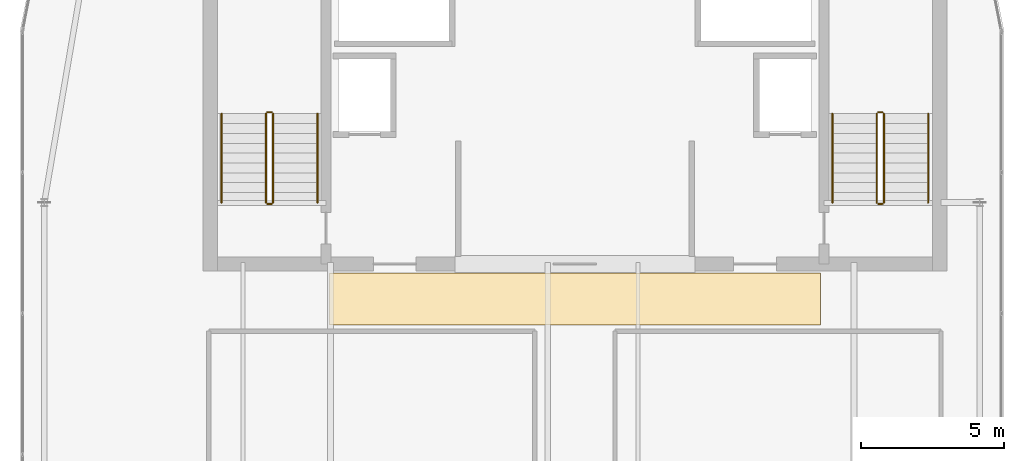
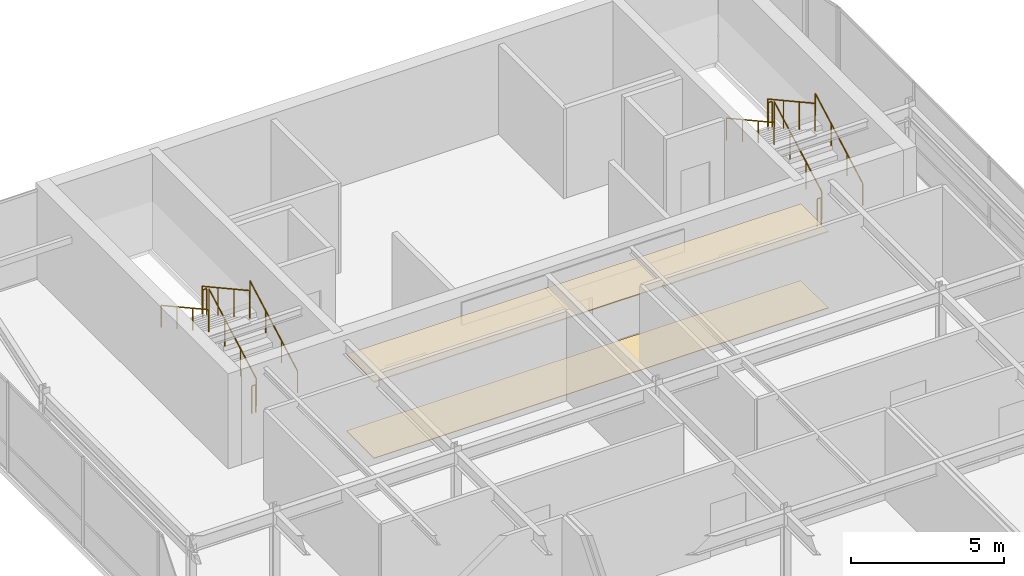
# One storey, part 36 of 36: 12 railings, 2 coverings.
"""IFC4 building model written with IfcOpenShell, lengths in metres."""

from ifc_helpers import new_model, si_unit, direction, frame, origin, origin_2d, place, context, subcontext, project, spatial, polyline, circle, outline, extrude, material, layer, layer_set, type_object, element, save


model = new_model("IFC4")

# Units and contexts
model_context = context("Model", 3, precision=1e-05, world=origin(), true_north=direction((0.0, 1.0)))
body_context = subcontext(model_context, "Body", "Model", "MODEL_VIEW")
ifc_project = project(units=[si_unit("LENGTHUNIT", "METRE"), si_unit("AREAUNIT", "SQUARE_METRE"), si_unit("VOLUMEUNIT", "CUBIC_METRE"), si_unit("PLANEANGLEUNIT", "RADIAN"), si_unit("MASSUNIT", "GRAM", prefix="KILO")], contexts=[model_context])

# Site, building, storey
site_placement = place(None, origin())
site = spatial("IfcSite", under=ifc_project, at=site_placement, CompositionType="ELEMENT")
building_placement = place(site_placement, origin())
building = spatial("IfcBuilding", under=site, at=building_placement, Name="Tolvann Quenvar Hotel", CompositionType="ELEMENT")
storey_placement = place(building_placement, frame((0.0, 0.0, 302.35009765625)))
storey = spatial("IfcBuildingStorey", under=building, at=storey_placement, Name="L80", CompositionType="ELEMENT", Elevation=302.35009765625)

# Coverings
ifc_material_1 = material(Name="Micro-perforated acoustic mineral-fibre and timber-batten suspended ceiling", Category="wood")
ifc_layer_1 = layer(ifc_material_1, 0.0400390625)
ifc_layer_set_1 = layer_set([ifc_layer_1], Name="Micro-perforated acoustic mineral-fibre and timber-batten suspended ceiling")
covering_type_1 = type_object("IfcCoveringType", Name="COV_CEIL_ACOUSTIC_40", PredefinedType="CEILING", material=ifc_layer_set_1)
covering_1_placement = place(storey_placement, frame((0.0, 0.0, 3.039794921875)))
element("IfcCovering", 1, at=covering_1_placement, inside=storey, type_object=covering_type_1, Name="Suspended Acoustic Ceiling (Upper Lantern Core Stair Vestibule L80)", PredefinedType="CEILING", context=body_context, shape_type="SweptSolid", body=[
    extrude(outline(polyline([(14.419921875, 29.719970703125), (31.580078125, 29.719970703125), (31.580078125, 31.530029296875), (14.419921875, 31.530029296875), (14.419921875, 29.719970703125)])), origin(), (0.0, 0.0, 1.0), 0.0400390625),
])
ifc_material_2 = material(Name="Honed Australian bluestone, terrazzo and engineered oak flooring", Category="masonry")
ifc_layer_2 = layer(ifc_material_2, 0.02001953125)
ifc_layer_set_2 = layer_set([ifc_layer_2], Name="Honed Australian bluestone, terrazzo and engineered oak flooring")
covering_type_2 = type_object("IfcCoveringType", Name="COV_FLOOR_STONE_20", PredefinedType="FLOORING", material=ifc_layer_set_2)
covering_2_placement = place(storey_placement, origin())
element("IfcCovering", 2, at=covering_2_placement, inside=storey, type_object=covering_type_2, Name="Architectural Floor Finish (Upper Lantern Core Stair Vestibule L80)", PredefinedType="FLOORING", context=body_context, shape_type="SweptSolid", body=[
    extrude(outline(polyline([(14.419921875, 29.719970703125), (31.580078125, 29.719970703125), (31.580078125, 31.530029296875), (14.419921875, 31.530029296875), (14.419921875, 29.719970703125)])), origin(), (0.0, 0.0, 1.0), 0.02001953125),
])

# Railings
ifc_material_3 = material(Name="Brushed 316 stainless steel balustrade and handrail", Category="steel")
railing_type_1 = type_object("IfcRailingType", Name="GUARDRAIL", PredefinedType="GUARDRAIL", material=ifc_material_3)
railing_1_placement = place(storey_placement, frame((12.449951171875, 34.0, 0.18994140625)))
element("IfcRailing", 3, at=railing_1_placement, inside=storey, type_object=railing_type_1, Name="L80 ST-C1 stair guard 1", PredefinedType="GUARDRAIL", context=body_context, shape_type="SweptSolid", body=[
    extrude(circle(Radius=0.02392578125, at=origin_2d()), frame((0.0, 0.0, 1.09619140625), z_axis=(0.0, 0.875951117098, 0.482399876093), x_axis=(-1.0, 0.0, 0.0)), (0.0, 0.0, 1.0), 3.544677734375),
    extrude(circle(Radius=0.02099609375, at=origin_2d()), origin(), (0.0, 0.0, 1.0), 1.072021484375),
    extrude(circle(Radius=0.02099609375, at=origin_2d()), frame((0.0, 1.034912109375, 0.570068359375)), (0.0, 0.0, 1.0), 1.072021484375),
    extrude(circle(Radius=0.02099609375, at=origin_2d()), frame((0.0, 2.070068359375, 1.139892578125)), (0.0, 0.0, 1.0), 1.072021484375),
    extrude(circle(Radius=0.02099609375, at=origin_2d()), frame((0.0, 3.10498046875, 1.7099609375)), (0.0, 0.0, 1.0), 1.072021484375),
])
railing_2_placement = place(storey_placement, frame((12.39990234375, 37.155029296875, 1.89990234375)))
element("IfcRailing", 4, at=railing_2_placement, inside=storey, type_object=railing_type_1, Name="L80 ST-C1 stair guard 2", PredefinedType="GUARDRAIL", context=body_context, shape_type="SweptSolid", body=[
    extrude(circle(Radius=0.02392578125, at=origin_2d()), frame((0.0, 0.0, 1.09619140625), z_axis=(-1.0, 0.0, 0.0), x_axis=(0.0, -1.0, 0.0)), (0.0, 0.0, 1.0), 0.14990234375),
    extrude(circle(Radius=0.02099609375, at=origin_2d()), origin(), (0.0, 0.0, 1.0), 1.072021484375),
    extrude(circle(Radius=0.02099609375, at=origin_2d()), frame((-0.14990234375, 0.0, 0.0)), (0.0, 0.0, 1.0), 1.072021484375),
])
railing_3_placement = place(storey_placement, frame((12.199951171875, 37.10498046875, 2.08984375)))
element("IfcRailing", 5, at=railing_3_placement, inside=storey, type_object=railing_type_1, Name="L80 ST-C1 stair guard 3", PredefinedType="GUARDRAIL", context=body_context, shape_type="SweptSolid", body=[
    extrude(circle(Radius=0.02392578125, at=origin_2d()), frame((0.0, 0.0, 1.09619140625), z_axis=(0.0, -0.875951117098, 0.482399876093), x_axis=(1.0, 0.0, 0.0)), (0.0, 0.0, 1.0), 3.544677734375),
    extrude(circle(Radius=0.02099609375, at=origin_2d()), origin(), (0.0, 0.0, 1.0), 1.072021484375),
    extrude(circle(Radius=0.02099609375, at=origin_2d()), frame((0.0, -1.034912109375, 0.570068359375)), (0.0, 0.0, 1.0), 1.072021484375),
    extrude(circle(Radius=0.02099609375, at=origin_2d()), frame((0.0, -2.070068359375, 1.139892578125)), (0.0, 0.0, 1.0), 1.072021484375),
    extrude(circle(Radius=0.02099609375, at=origin_2d()), frame((0.0, -3.10498046875, 1.7099609375)), (0.0, 0.0, 1.0), 1.072021484375),
])
railing_4_placement = place(storey_placement, frame((12.39990234375, 33.949951171875, 0.0)))
element("IfcRailing", 6, at=railing_4_placement, inside=storey, type_object=railing_type_1, Name="L80 ST-C1 stair guard 4", PredefinedType="GUARDRAIL", context=body_context, shape_type="SweptSolid", body=[
    extrude(circle(Radius=0.02392578125, at=origin_2d()), frame((0.0, 0.0, 1.09619140625), z_axis=(-1.0, 0.0, 0.0), x_axis=(0.0, -1.0, 0.0)), (0.0, 0.0, 1.0), 0.14990234375),
    extrude(circle(Radius=0.02099609375, at=origin_2d()), origin(), (0.0, 0.0, 1.0), 1.072021484375),
    extrude(circle(Radius=0.02099609375, at=origin_2d()), frame((-0.14990234375, 0.0, 0.0)), (0.0, 0.0, 1.0), 1.072021484375),
])
railing_5_placement = place(storey_placement, frame((33.800048828125, 34.0, 0.18994140625)))
element("IfcRailing", 7, at=railing_5_placement, inside=storey, type_object=railing_type_1, Name="L80 ST-C2 stair guard 1", PredefinedType="GUARDRAIL", context=body_context, shape_type="SweptSolid", body=[
    extrude(circle(Radius=0.02392578125, at=origin_2d()), frame((0.0, 0.0, 1.09619140625), z_axis=(0.0, 0.875951117098, 0.482399876093), x_axis=(-1.0, 0.0, 0.0)), (0.0, 0.0, 1.0), 3.544677734375),
    extrude(circle(Radius=0.02099609375, at=origin_2d()), origin(), (0.0, 0.0, 1.0), 1.072021484375),
    extrude(circle(Radius=0.02099609375, at=origin_2d()), frame((0.0, 1.034912109375, 0.570068359375)), (0.0, 0.0, 1.0), 1.072021484375),
    extrude(circle(Radius=0.02099609375, at=origin_2d()), frame((0.0, 2.070068359375, 1.139892578125)), (0.0, 0.0, 1.0), 1.072021484375),
    extrude(circle(Radius=0.02099609375, at=origin_2d()), frame((0.0, 3.10498046875, 1.7099609375)), (0.0, 0.0, 1.0), 1.072021484375),
])
railing_6_placement = place(storey_placement, frame((33.75, 37.155029296875, 1.89990234375)))
element("IfcRailing", 8, at=railing_6_placement, inside=storey, type_object=railing_type_1, Name="L80 ST-C2 stair guard 2", PredefinedType="GUARDRAIL", context=body_context, shape_type="SweptSolid", body=[
    extrude(circle(Radius=0.02392578125, at=origin_2d()), frame((0.0, 0.0, 1.09619140625), z_axis=(-1.0, 0.0, 0.0), x_axis=(0.0, -1.0, 0.0)), (0.0, 0.0, 1.0), 0.14990234375),
    extrude(circle(Radius=0.02099609375, at=origin_2d()), origin(), (0.0, 0.0, 1.0), 1.072021484375),
    extrude(circle(Radius=0.02099609375, at=origin_2d()), frame((-0.14990234375, 0.0, 0.0)), (0.0, 0.0, 1.0), 1.072021484375),
])
railing_7_placement = place(storey_placement, frame((33.550048828125, 37.10498046875, 2.08984375)))
element("IfcRailing", 9, at=railing_7_placement, inside=storey, type_object=railing_type_1, Name="L80 ST-C2 stair guard 3", PredefinedType="GUARDRAIL", context=body_context, shape_type="SweptSolid", body=[
    extrude(circle(Radius=0.02392578125, at=origin_2d()), frame((0.0, 0.0, 1.09619140625), z_axis=(0.0, -0.875951117098, 0.482399876093), x_axis=(1.0, 0.0, 0.0)), (0.0, 0.0, 1.0), 3.544677734375),
    extrude(circle(Radius=0.02099609375, at=origin_2d()), origin(), (0.0, 0.0, 1.0), 1.072021484375),
    extrude(circle(Radius=0.02099609375, at=origin_2d()), frame((0.0, -1.034912109375, 0.570068359375)), (0.0, 0.0, 1.0), 1.072021484375),
    extrude(circle(Radius=0.02099609375, at=origin_2d()), frame((0.0, -2.070068359375, 1.139892578125)), (0.0, 0.0, 1.0), 1.072021484375),
    extrude(circle(Radius=0.02099609375, at=origin_2d()), frame((0.0, -3.10498046875, 1.7099609375)), (0.0, 0.0, 1.0), 1.072021484375),
])
railing_8_placement = place(storey_placement, frame((33.75, 33.949951171875, 0.0)))
element("IfcRailing", 10, at=railing_8_placement, inside=storey, type_object=railing_type_1, Name="L80 ST-C2 stair guard 4", PredefinedType="GUARDRAIL", context=body_context, shape_type="SweptSolid", body=[
    extrude(circle(Radius=0.02392578125, at=origin_2d()), frame((0.0, 0.0, 1.09619140625), z_axis=(-1.0, 0.0, 0.0), x_axis=(0.0, -1.0, 0.0)), (0.0, 0.0, 1.0), 0.14990234375),
    extrude(circle(Radius=0.02099609375, at=origin_2d()), origin(), (0.0, 0.0, 1.0), 1.072021484375),
    extrude(circle(Radius=0.02099609375, at=origin_2d()), frame((-0.14990234375, 0.0, 0.0)), (0.0, 0.0, 1.0), 1.072021484375),
])
railing_type_2 = type_object("IfcRailingType", Name="HANDRAIL", PredefinedType="HANDRAIL", material=ifc_material_3)
railing_9_placement = place(storey_placement, frame((14.0, 34.0, 0.18994140625)))
element("IfcRailing", 11, at=railing_9_placement, inside=storey, type_object=railing_type_2, Name="L80 ST-C1 stair handrail 1", PredefinedType="HANDRAIL", context=body_context, shape_type="SweptSolid", body=[
    extrude(circle(Radius=0.02392578125, at=origin_2d()), frame((0.0, 0.0, 0.8759765625), z_axis=(0.0, 0.875951117098, 0.482399876093), x_axis=(-1.0, 0.0, 0.0)), (0.0, 0.0, 1.0), 3.544677734375),
    extrude(circle(Radius=0.02099609375, at=origin_2d()), origin(), (0.0, 0.0, 1.0), 0.851806640625),
    extrude(circle(Radius=0.02099609375, at=origin_2d()), frame((0.0, 1.034912109375, 0.570068359375)), (0.0, 0.0, 1.0), 0.851806640625),
    extrude(circle(Radius=0.02099609375, at=origin_2d()), frame((0.0, 2.070068359375, 1.139892578125)), (0.0, 0.0, 1.0), 0.851806640625),
    extrude(circle(Radius=0.02099609375, at=origin_2d()), frame((0.0, 3.10498046875, 1.7099609375)), (0.0, 0.0, 1.0), 0.851806640625),
])
railing_10_placement = place(storey_placement, frame((10.64990234375, 37.10498046875, 2.08984375)))
element("IfcRailing", 12, at=railing_10_placement, inside=storey, type_object=railing_type_2, Name="L80 ST-C1 stair handrail 2", PredefinedType="HANDRAIL", context=body_context, shape_type="SweptSolid", body=[
    extrude(circle(Radius=0.02392578125, at=origin_2d()), frame((0.0, 0.0, 0.8759765625), z_axis=(0.0, -0.875951117098, 0.482399876093), x_axis=(1.0, 0.0, 0.0)), (0.0, 0.0, 1.0), 3.544677734375),
    extrude(circle(Radius=0.02099609375, at=origin_2d()), origin(), (0.0, 0.0, 1.0), 0.851806640625),
    extrude(circle(Radius=0.02099609375, at=origin_2d()), frame((0.0, -1.034912109375, 0.570068359375)), (0.0, 0.0, 1.0), 0.851806640625),
    extrude(circle(Radius=0.02099609375, at=origin_2d()), frame((0.0, -2.070068359375, 1.139892578125)), (0.0, 0.0, 1.0), 0.851806640625),
    extrude(circle(Radius=0.02099609375, at=origin_2d()), frame((0.0, -3.10498046875, 1.7099609375)), (0.0, 0.0, 1.0), 0.851806640625),
])
railing_11_placement = place(storey_placement, frame((35.35009765625, 34.0, 0.18994140625)))
element("IfcRailing", 13, at=railing_11_placement, inside=storey, type_object=railing_type_2, Name="L80 ST-C2 stair handrail 1", PredefinedType="HANDRAIL", context=body_context, shape_type="SweptSolid", body=[
    extrude(circle(Radius=0.02392578125, at=origin_2d()), frame((0.0, 0.0, 0.8759765625), z_axis=(0.0, 0.875951117098, 0.482399876093), x_axis=(-1.0, 0.0, 0.0)), (0.0, 0.0, 1.0), 3.544677734375),
    extrude(circle(Radius=0.02099609375, at=origin_2d()), origin(), (0.0, 0.0, 1.0), 0.851806640625),
    extrude(circle(Radius=0.02099609375, at=origin_2d()), frame((0.0, 1.034912109375, 0.570068359375)), (0.0, 0.0, 1.0), 0.851806640625),
    extrude(circle(Radius=0.02099609375, at=origin_2d()), frame((0.0, 2.070068359375, 1.139892578125)), (0.0, 0.0, 1.0), 0.851806640625),
    extrude(circle(Radius=0.02099609375, at=origin_2d()), frame((0.0, 3.10498046875, 1.7099609375)), (0.0, 0.0, 1.0), 0.851806640625),
])
railing_12_placement = place(storey_placement, frame((32.0, 37.10498046875, 2.08984375)))
element("IfcRailing", 14, at=railing_12_placement, inside=storey, type_object=railing_type_2, Name="L80 ST-C2 stair handrail 2", PredefinedType="HANDRAIL", context=body_context, shape_type="SweptSolid", body=[
    extrude(circle(Radius=0.02392578125, at=origin_2d()), frame((0.0, 0.0, 0.8759765625), z_axis=(0.0, -0.875951117098, 0.482399876093), x_axis=(1.0, 0.0, 0.0)), (0.0, 0.0, 1.0), 3.544677734375),
    extrude(circle(Radius=0.02099609375, at=origin_2d()), origin(), (0.0, 0.0, 1.0), 0.851806640625),
    extrude(circle(Radius=0.02099609375, at=origin_2d()), frame((0.0, -1.034912109375, 0.570068359375)), (0.0, 0.0, 1.0), 0.851806640625),
    extrude(circle(Radius=0.02099609375, at=origin_2d()), frame((0.0, -2.070068359375, 1.139892578125)), (0.0, 0.0, 1.0), 0.851806640625),
    extrude(circle(Radius=0.02099609375, at=origin_2d()), frame((0.0, -3.10498046875, 1.7099609375)), (0.0, 0.0, 1.0), 0.851806640625),
])

save(model, "model.ifc")
